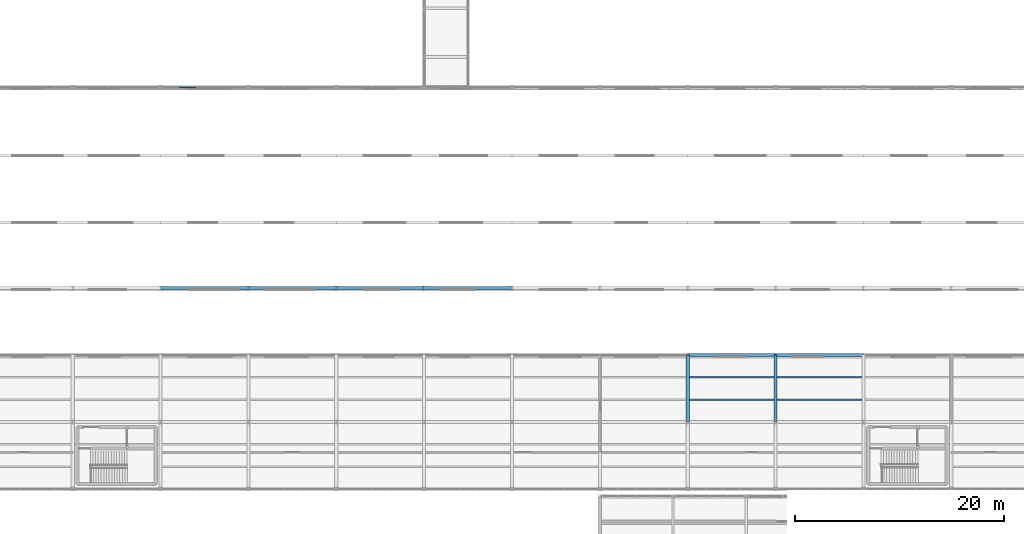
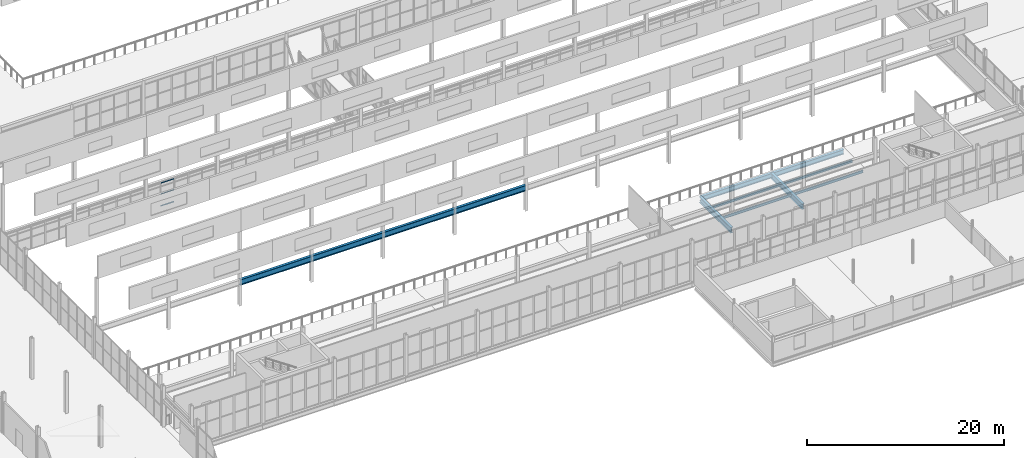
# One storey, part 77 of 218: 12 beams, 3 members, 1 element without a shape of its own.
"""IFC4 building model written with IfcOpenShell, lengths in metres."""

from ifc_helpers import new_model, si_unit, direction, frame, origin, origin_2d, place, context, subcontext, project, spatial, hollow_rectangle, i_section, extrude, material, material_profile, profile_set, type_object, element, aggregate, save


model = new_model("IFC4")

# Units and contexts
model_context = context("Model", 3, precision=1e-05, world=origin(), true_north=direction((0.0, 1.0)))
body_context = subcontext(model_context, "Body", "Model", "MODEL_VIEW")
ifc_project = project(units=[si_unit("LENGTHUNIT", "METRE"), si_unit("AREAUNIT", "SQUARE_METRE"), si_unit("VOLUMEUNIT", "CUBIC_METRE"), si_unit("PLANEANGLEUNIT", "RADIAN"), si_unit("MASSUNIT", "GRAM", prefix="KILO")], contexts=[model_context])

# Site, building, storey
site_placement = place(None, origin())
site = spatial("IfcSite", under=ifc_project, at=site_placement, CompositionType="ELEMENT")
building_placement = place(site_placement, origin())
building = spatial("IfcBuilding", under=site, at=building_placement, Name="Kazenagashi Tramway Depot", CompositionType="ELEMENT")
storey_placement = place(building_placement, frame((0.0, 0.0, 6.0)))
storey = spatial("IfcBuildingStorey", under=building, at=storey_placement, Name="L02", CompositionType="ELEMENT", Elevation=6.0)

# Beams
ifc_material_1 = material(Name="Steel SN490B", Category="steel")
ifc_material_profile_1 = material_profile(ifc_material_1, i_section(OverallWidth=0.3, OverallDepth=0.7, WebThickness=0.013, FlangeThickness=0.024, at=origin_2d()), Name="H-700x300x13x24")
ifc_profile_set_1 = profile_set([ifc_material_profile_1], Name="Steel SN490B")
beam_type_1 = type_object("IfcBeamType", Name="G-02", PredefinedType="BEAM", material=ifc_profile_set_1)
for number, where, z_axis, x_axis, name in (
    (1, (112.0, 22.9, -0.6), (0.0, 1.0, 0.0), (-1.0, 0.0, 0.0), "Beam G-02 BM-1080"),
    (2, (120.4, 22.9, -0.6), (0.0, 1.0, 0.0), (-1.0, 0.0, 0.0), "Beam G-02 BM-1086"),
):
    element("IfcBeam", number, at=place(storey_placement, frame(where, z_axis=z_axis, x_axis=x_axis)), inside=storey, type_object=beam_type_1, Name=name, PredefinedType="BEAM", context=body_context, shape_type="SweptSolid", body=[
        extrude(i_section(OverallWidth=0.3, OverallDepth=0.7, WebThickness=0.013, FlangeThickness=0.024, at=origin_2d()), origin(), (0.0, 0.0, 1.0), 6.4),
    ])
for number, where, z_axis, x_axis, name in (
    (3, (61.6, 35.7, 2.85), (1.0, 0.0, 0.0), (0.0, 1.0, 0.0), "Beam G-02 BM-1163"),
    (4, (70.0, 35.7, 2.85), (1.0, 0.0, 0.0), (0.0, 1.0, 0.0), "Beam G-02 BM-1164"),
    (5, (78.4, 35.7, 2.85), (1.0, 0.0, 0.0), (0.0, 1.0, 0.0), "Beam G-02 BM-1165"),
    (6, (86.8, 35.7, 2.85), (1.0, 0.0, 0.0), (0.0, 1.0, 0.0), "Beam G-02 BM-1166"),
):
    element("IfcBeam", number, at=place(storey_placement, frame(where, z_axis=z_axis, x_axis=x_axis)), inside=storey, type_object=beam_type_1, Name=name, PredefinedType="BEAM", context=body_context, shape_type="SweptSolid", body=[
        extrude(i_section(OverallWidth=0.3, OverallDepth=0.7, WebThickness=0.013, FlangeThickness=0.024, at=origin_2d()), origin(), (0.0, 0.0, 1.0), 8.4),
    ])
ifc_material_2 = material(Name="Steel SN400B", Category="steel")
ifc_material_profile_2 = material_profile(ifc_material_2, i_section(OverallWidth=0.15, OverallDepth=0.3, WebThickness=0.0065, FlangeThickness=0.009, at=origin_2d()), Name="H-300x150x6.5x9")
ifc_profile_set_2 = profile_set([ifc_material_profile_2], Name="Steel SN400B")
beam_type_2 = type_object("IfcBeamType", Name="J-02", PredefinedType="JOIST", material=ifc_profile_set_2)
for number, where, z_axis, x_axis, name in (
    (7, (112.15, 25.033, -0.4), (1.0, 0.0, 0.0), (0.0, 1.0, 0.0), "Beam J-02 BM-1081"),
    (8, (112.15, 27.167, -0.4), (1.0, 0.0, 0.0), (0.0, 1.0, 0.0), "Beam J-02 BM-1082"),
    (9, (120.55, 25.033, -0.4), (1.0, 0.0, 0.0), (0.0, 1.0, 0.0), "Beam J-02 BM-1087"),
    (10, (120.55, 27.167, -0.4), (1.0, 0.0, 0.0), (0.0, 1.0, 0.0), "Beam J-02 BM-1088"),
):
    element("IfcBeam", number, at=place(storey_placement, frame(where, z_axis=z_axis, x_axis=x_axis)), inside=storey, type_object=beam_type_2, Name=name, PredefinedType="JOIST", context=body_context, shape_type="SweptSolid", body=[
        extrude(i_section(OverallWidth=0.15, OverallDepth=0.3, WebThickness=0.0065, FlangeThickness=0.009, at=origin_2d()), origin(), (0.0, 0.0, 1.0), 8.1),
    ])
ifc_material_profile_3 = material_profile(ifc_material_1, i_section(OverallWidth=0.3, OverallDepth=0.588, WebThickness=0.012, FlangeThickness=0.02, at=origin_2d()), Name="H-588x300x12x20")
ifc_profile_set_3 = profile_set([ifc_material_profile_3], Name="Steel SN490B")
beam_type_3 = type_object("IfcBeamType", Name="SP-01", PredefinedType="SPANDREL", material=ifc_profile_set_3)
for number, where, z_axis, x_axis, name in (
    (11, (112.0, 29.3, -0.544), (1.0, 0.0, 0.0), (0.0, 1.0, 0.0), "Beam SP-01 BM-1026"),
    (12, (120.4, 29.3, -0.544), (1.0, 0.0, 0.0), (0.0, 1.0, 0.0), "Beam SP-01 BM-1027"),
):
    element("IfcBeam", number, at=place(storey_placement, frame(where, z_axis=z_axis, x_axis=x_axis)), inside=storey, type_object=beam_type_3, Name=name, PredefinedType="SPANDREL", context=body_context, shape_type="SweptSolid", body=[
        extrude(i_section(OverallWidth=0.3, OverallDepth=0.588, WebThickness=0.012, FlangeThickness=0.02, at=origin_2d()), origin(), (0.0, 0.0, 1.0), 8.4),
    ])

# Curtain wall, members
ifc_material_3 = material(Name="Anodised Aluminium and Low-E Glazing", Category="aluminium")
curtain_wall_type = type_object("IfcCurtainWallType", Name="CW-21", PredefinedType="USERDEFINED", material=ifc_material_3)
curtain_wall_placement = place(storey_placement, origin())
curtain_wall = element("IfcCurtainWall", 13, at=curtain_wall_placement, inside=storey, type_object=curtain_wall_type, Name="Industrial Glazed Screen CW-21 CW-0109", ObjectType="GLAZED SCREEN", PredefinedType="USERDEFINED")
ifc_material_4 = material(Name="Anodised Aluminium", Category="aluminium")
ifc_material_profile_4 = material_profile(ifc_material_4, hollow_rectangle(XDim=0.06, YDim=0.12, WallThickness=0.004, at=origin_2d()), Name="RHS-120x60x4")
ifc_profile_set_4 = profile_set([ifc_material_profile_4], Name="Anodised Aluminium")
member_type = type_object("IfcMemberType", Name="TR-01", PredefinedType="USERDEFINED", material=ifc_profile_set_4)
member_1_placement = place(storey_placement, frame((63.394, 54.9, 0.03), z_axis=(1.0, 0.0, 0.0), x_axis=(0.0, 1.0, 0.0)))
member_1 = element("IfcMember", 14, at=member_1_placement, type_object=member_type, Name="CW-21 transom 2.1", ObjectType="TRANSOM", PredefinedType="USERDEFINED", context=body_context, shape_type="SweptSolid", body=[
    extrude(hollow_rectangle(XDim=0.06, YDim=0.12, WallThickness=0.004, at=origin_2d()), origin(), (0.0, 0.0, 1.0), 1.564),
])
member_2_placement = place(storey_placement, frame((63.394, 54.9, 1.508), z_axis=(1.0, 0.0, 0.0), x_axis=(0.0, 1.0, 0.0)))
member_2 = element("IfcMember", 15, at=member_2_placement, type_object=member_type, Name="CW-21 transom 2.2", ObjectType="TRANSOM", PredefinedType="USERDEFINED", context=body_context, shape_type="SweptSolid", body=[
    extrude(hollow_rectangle(XDim=0.06, YDim=0.12, WallThickness=0.004, at=origin_2d()), origin(), (0.0, 0.0, 1.0), 1.564),
])
member_3_placement = place(storey_placement, frame((63.394, 54.9, 2.87), z_axis=(1.0, 0.0, 0.0), x_axis=(0.0, 1.0, 0.0)))
member_3 = element("IfcMember", 16, at=member_3_placement, type_object=member_type, Name="CW-21 transom 2.3", ObjectType="TRANSOM", PredefinedType="USERDEFINED", context=body_context, shape_type="SweptSolid", body=[
    extrude(hollow_rectangle(XDim=0.06, YDim=0.12, WallThickness=0.004, at=origin_2d()), origin(), (0.0, 0.0, 1.0), 1.564),
])
aggregate(curtain_wall, [member_1, member_2, member_3])

save(model, "model.ifc")
